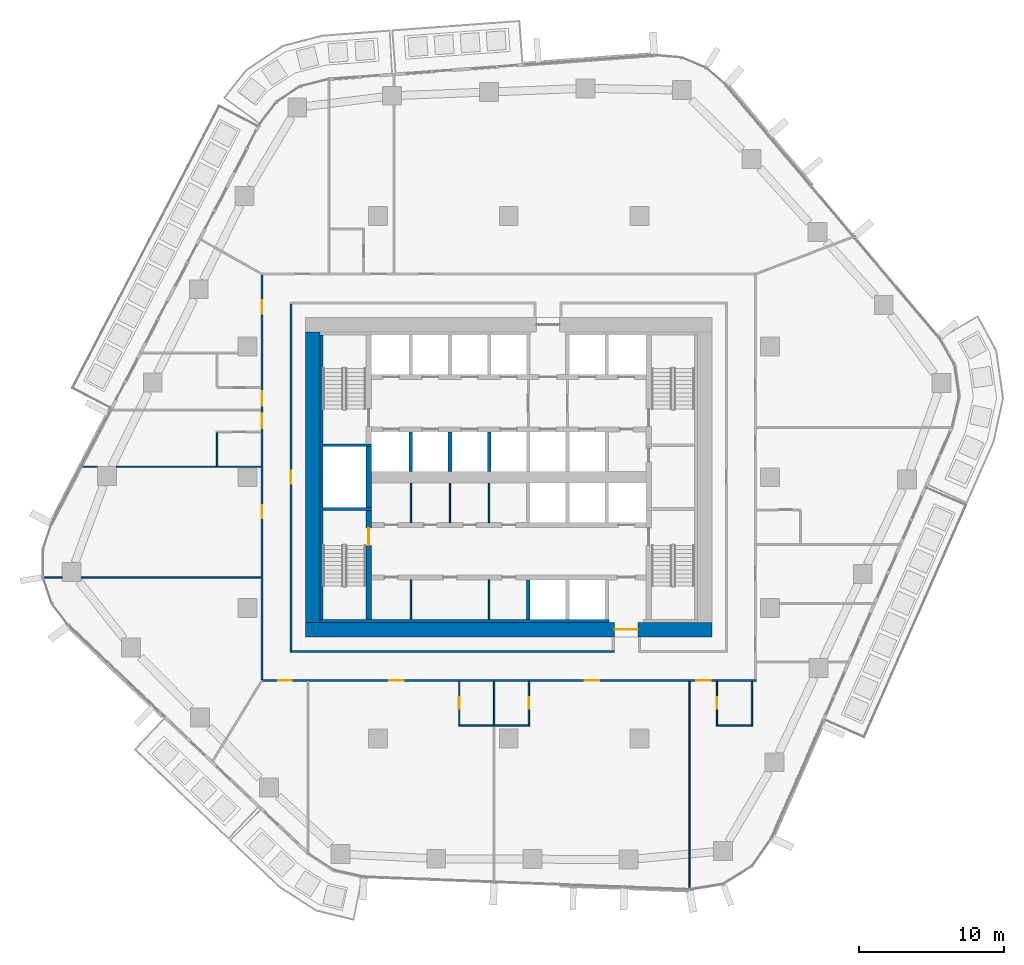
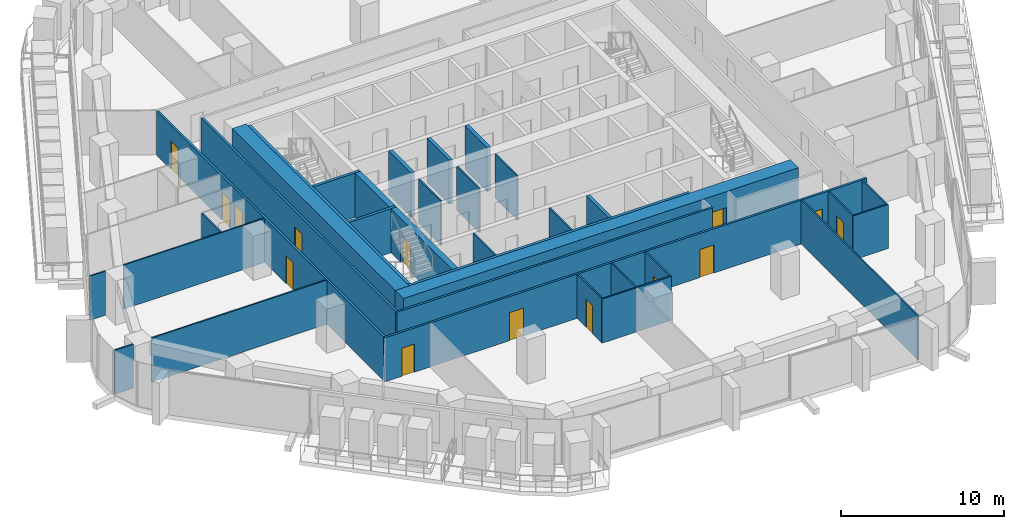
# One storey, part 12 of 23: 34 walls, 14 doors, 14 openings.
"""IFC4 building model written with IfcOpenShell, lengths in metres."""

from ifc_helpers import new_model, si_unit, direction, frame, frame_2d, origin, place, context, subcontext, project, spatial, rectangle, extrude, material, layer, layer_set, type_object, element, fill, save


model = new_model("IFC4")

# Units and contexts
model_context = context("Model", 3, precision=1e-05, world=origin(), true_north=direction((0.0, 1.0)))
body_context = subcontext(model_context, "Body", "Model", "MODEL_VIEW")
ifc_project = project(units=[si_unit("LENGTHUNIT", "METRE"), si_unit("AREAUNIT", "SQUARE_METRE"), si_unit("VOLUMEUNIT", "CUBIC_METRE"), si_unit("PLANEANGLEUNIT", "RADIAN"), si_unit("MASSUNIT", "GRAM", prefix="KILO")], contexts=[model_context])

# Site, building, storey
site_placement = place(None, origin())
site = spatial("IfcSite", under=ifc_project, at=site_placement, CompositionType="ELEMENT")
building_placement = place(site_placement, origin())
building = spatial("IfcBuilding", under=site, at=building_placement, Name="Dongbaek Canopy Tower", CompositionType="ELEMENT")
storey_placement = place(building_placement, frame((0.0, 0.0, 132.199951171875)))
storey = spatial("IfcBuildingStorey", under=building, at=storey_placement, Name="L29", CompositionType="ELEMENT", Elevation=132.199951171875)

# Wall, opening, door
ifc_material_1 = material(Name="Concrete C60/75", Category="concrete")
ifc_layer_1 = layer(ifc_material_1, 1.0)
ifc_layer_set_1 = layer_set([ifc_layer_1], Name="Core outer wall 1000 Concrete C60/75")
wall_type_1 = type_object("IfcWallType", Name="Core outer wall 1000 Concrete C60/75", PredefinedType="SHEAR", material=ifc_layer_set_1)
wall_1_placement = place(storey_placement, frame((14.0, -10.5, 0.0), z_axis=(0.0, 0.0, 1.0), x_axis=(-1.0, 0.0, 0.0)))
wall_1 = element("IfcWall", 1, at=wall_1_placement, inside=storey, type_object=wall_type_1, Name="Core wall", PredefinedType="SHEAR", context=body_context, shape_type="SweptSolid", body=[
    extrude(rectangle(XDim=28.0, YDim=1.0, at=frame_2d((14.0, 0.0))), origin(), (0.0, 0.0, 1.0), 3.300048828125),
])
opening_1_placement = place(wall_1_placement, frame((5.10009765625, 0.0, 0.0)))
opening_1 = element("IfcOpeningElement", 2, at=opening_1_placement, cuts=wall_1, Name="Opening L29-D042", PredefinedType="OPENING", context=body_context, shape_type="SweptSolid", body=[
    extrude(rectangle(XDim=1.60009765625, YDim=2.10009765625, at=frame_2d((0.800048828125, 1.050048828125))), frame((0.0, 0.510009765625, 0.0), z_axis=(0.0, -1.0, 0.0), x_axis=(1.0, 0.0, 0.0)), (0.0, 0.0, 1.0), 1.02001953125),
])
ifc_material_2 = material(Name="Steel", Category="steel")
door_type_1 = type_object("IfcDoorType", Name="Core exit door 1600 x 2100", OperationType="DOUBLE_DOOR_SINGLE_SWING", PredefinedType="DOOR", material=ifc_material_2)
door_1_placement = place(opening_1_placement, origin())
door_1 = element("IfcDoor", 3, at=door_1_placement, inside=storey, type_object=door_type_1, Name="Core exit door", OperationType="DOUBLE_DOOR_SINGLE_SWING", OverallHeight=2.10009765625, OverallWidth=1.60009765625, PredefinedType="DOOR", context=body_context, shape_type="SweptSolid", body=[
    extrude(rectangle(XDim=1.60009765625, YDim=2.10009765625, at=frame_2d((0.800048828125, 1.050048828125))), frame((0.0, 0.02490234375, 0.0), z_axis=(0.0, -1.0, 0.0), x_axis=(1.0, 0.0, 0.0)), (0.0, 0.0, 1.0), 0.050048828125),
])
fill(opening_1, door_1)

# Walls
wall_2_placement = place(storey_placement, frame((-13.5, -10.0, 0.0), z_axis=(0.0, 0.0, 1.0), x_axis=(0.0, 1.0, 0.0)))
element("IfcWall", 4, at=wall_2_placement, inside=storey, type_object=wall_type_1, Name="Core wall", PredefinedType="SHEAR", context=body_context, shape_type="SweptSolid", body=[
    extrude(rectangle(XDim=20.0, YDim=1.0, at=frame_2d((10.0, 0.0))), origin(), (0.0, 0.0, 1.0), 3.300048828125),
])
ifc_material_3 = material(Name="Concrete C60/75", Category="concrete")
ifc_layer_2 = layer(ifc_material_3, 0.199951171875)
ifc_layer_set_2 = layer_set([ifc_layer_2], Name="Core wall lining 200 Concrete C60/75")
wall_type_2 = type_object("IfcWallType", Name="Core wall lining 200 Concrete C60/75", PredefinedType="SHEAR", material=ifc_layer_set_2)
wall_3_placement = place(storey_placement, frame((6.89990234375, -9.89990234375, 0.0), z_axis=(0.0, 0.0, 1.0), x_axis=(-1.0, 0.0, 0.0)))
element("IfcWall", 5, at=wall_3_placement, inside=storey, type_object=wall_type_2, Name="Core wall lining", PredefinedType="SHEAR", context=body_context, shape_type="SweptSolid", body=[
    extrude(rectangle(XDim=19.89990234375, YDim=0.199951171875, at=frame_2d((9.949951171875, 0.0))), origin(), (0.0, 0.0, 1.0), 3.300048828125),
])
wall_4_placement = place(storey_placement, frame((-12.89990234375, -9.800048828125, 0.0), z_axis=(0.0, 0.0, 1.0), x_axis=(0.0, 1.0, 0.0)))
element("IfcWall", 6, at=wall_4_placement, inside=storey, type_object=wall_type_2, Name="Core wall lining", PredefinedType="SHEAR", context=body_context, shape_type="SweptSolid", body=[
    extrude(rectangle(XDim=19.60009765625, YDim=0.199951171875, at=frame_2d((9.800048828125, 0.0))), origin(), (0.0, 0.0, 1.0), 3.300048828125),
])

# Wall, openings, doors
ifc_material_4 = material(Name="Gypsum board partition, steel stud, 2 x 15 mm fire board", Category="steel")
ifc_layer_3 = layer(ifc_material_4, 0.14990234375)
ifc_layer_set_3 = layer_set([ifc_layer_3], Name="Fire-rated partition 150 gypsum board")
wall_type_3 = type_object("IfcWallType", Name="Fire-rated partition 150 gypsum board", PredefinedType="PARTITIONING", material=ifc_layer_set_3)
wall_5_placement = place(storey_placement, frame((17.074951171875, -14.0, 0.0), z_axis=(0.0, 0.0, 1.0), x_axis=(-1.0, 0.0, 0.0)))
wall_5 = element("IfcWall", 7, at=wall_5_placement, inside=storey, type_object=wall_type_3, Name="Corridor partition", PredefinedType="PARTITIONING", context=body_context, shape_type="SweptSolid", body=[
    extrude(rectangle(XDim=34.14990234375, YDim=0.14990234375, at=frame_2d((17.074951171875, 0.0))), origin(), (0.0, 0.0, 1.0), 3.300048828125),
])
opening_2_placement = place(wall_5_placement, frame((32.0458984375, 0.0, 0.0)))
opening_2 = element("IfcOpeningElement", 8, at=opening_2_placement, cuts=wall_5, Name="Opening L29-D002", PredefinedType="OPENING", context=body_context, shape_type="SweptSolid", body=[
    extrude(rectangle(XDim=0.89990234375, YDim=2.10009765625, at=frame_2d((0.449951171875, 1.050048828125))), frame((0.0, 0.0849609375, 0.0), z_axis=(0.0, -1.0, 0.0), x_axis=(1.0, 0.0, 0.0)), (0.0, 0.0, 1.0), 0.169921875),
])
opening_3_placement = place(wall_5_placement, frame((24.3203125, 0.0, 0.0)))
opening_3 = element("IfcOpeningElement", 9, at=opening_3_placement, cuts=wall_5, Name="Opening L29-D004", PredefinedType="OPENING", context=body_context, shape_type="SweptSolid", body=[
    extrude(rectangle(XDim=1.0, YDim=2.10009765625, at=frame_2d((0.5, 1.050048828125))), frame((0.0, 0.0849609375, 0.0), z_axis=(0.0, -1.0, 0.0), x_axis=(1.0, 0.0, 0.0)), (0.0, 0.0, 1.0), 0.169921875),
])
opening_4_placement = place(wall_5_placement, frame((10.847412109375, 0.0, 0.0)))
opening_4 = element("IfcOpeningElement", 10, at=opening_4_placement, cuts=wall_5, Name="Opening L29-D006", PredefinedType="OPENING", context=body_context, shape_type="SweptSolid", body=[
    extrude(rectangle(XDim=1.0, YDim=2.10009765625, at=frame_2d((0.5, 1.050048828125))), frame((0.0, 0.0849609375, 0.0), z_axis=(0.0, -1.0, 0.0), x_axis=(1.0, 0.0, 0.0)), (0.0, 0.0, 1.0), 0.169921875),
])
opening_5_placement = place(wall_5_placement, frame((3.171630859375, 0.0, 0.0)))
opening_5 = element("IfcOpeningElement", 11, at=opening_5_placement, cuts=wall_5, Name="Opening L29-D008", PredefinedType="OPENING", context=body_context, shape_type="SweptSolid", body=[
    extrude(rectangle(XDim=1.0, YDim=2.10009765625, at=frame_2d((0.5, 1.050048828125))), frame((0.0, 0.0849609375, 0.0), z_axis=(0.0, -1.0, 0.0), x_axis=(1.0, 0.0, 0.0)), (0.0, 0.0, 1.0), 0.169921875),
])
ifc_material_5 = material(Name="Timber veneered door leaf", Category="wood")
door_type_2 = type_object("IfcDoorType", Name="Guest room door 1000 x 2100", OperationType="SINGLE_SWING_LEFT", PredefinedType="DOOR", material=ifc_material_5)
door_2_placement = place(opening_3_placement, origin())
door_2 = element("IfcDoor", 12, at=door_2_placement, inside=storey, type_object=door_type_2, Name="Door L29-D004", OperationType="SINGLE_SWING_LEFT", OverallHeight=2.10009765625, OverallWidth=1.0, PredefinedType="DOOR", context=body_context, shape_type="SweptSolid", body=[
    extrude(rectangle(XDim=1.0, YDim=2.10009765625, at=frame_2d((0.5, 1.050048828125))), frame((0.0, 0.02490234375, 0.0), z_axis=(0.0, -1.0, 0.0), x_axis=(1.0, 0.0, 0.0)), (0.0, 0.0, 1.0), 0.050048828125),
])
fill(opening_3, door_2)
door_3_placement = place(opening_4_placement, origin())
door_3 = element("IfcDoor", 13, at=door_3_placement, inside=storey, type_object=door_type_2, Name="Door L29-D006", OperationType="SINGLE_SWING_RIGHT", OverallHeight=2.10009765625, OverallWidth=1.0, PredefinedType="DOOR", context=body_context, shape_type="SweptSolid", body=[
    extrude(rectangle(XDim=1.0, YDim=2.10009765625, at=frame_2d((0.5, 1.050048828125))), frame((0.0, 0.02490234375, 0.0), z_axis=(0.0, -1.0, 0.0), x_axis=(1.0, 0.0, 0.0)), (0.0, 0.0, 1.0), 0.050048828125),
])
fill(opening_4, door_3)
door_4_placement = place(opening_5_placement, origin())
door_4 = element("IfcDoor", 14, at=door_4_placement, inside=storey, type_object=door_type_2, Name="Door L29-D008", OperationType="SINGLE_SWING_LEFT", OverallHeight=2.10009765625, OverallWidth=1.0, PredefinedType="DOOR", context=body_context, shape_type="SweptSolid", body=[
    extrude(rectangle(XDim=1.0, YDim=2.10009765625, at=frame_2d((0.5, 1.050048828125))), frame((0.0, 0.02490234375, 0.0), z_axis=(0.0, -1.0, 0.0), x_axis=(1.0, 0.0, 0.0)), (0.0, 0.0, 1.0), 0.050048828125),
])
fill(opening_5, door_4)
ifc_material_6 = material(Name="Timber veneered door leaf", Category="wood")
door_type_3 = type_object("IfcDoorType", Name="Room door 900 x 2100", OperationType="SINGLE_SWING_LEFT", PredefinedType="DOOR", material=ifc_material_6)
door_5_placement = place(opening_2_placement, origin())
door_5 = element("IfcDoor", 15, at=door_5_placement, inside=storey, type_object=door_type_3, Name="Door L29-D002", OperationType="SINGLE_SWING_RIGHT", OverallHeight=2.10009765625, OverallWidth=0.89990234375, PredefinedType="DOOR", context=body_context, shape_type="SweptSolid", body=[
    extrude(rectangle(XDim=0.89990234375, YDim=2.10009765625, at=frame_2d((0.449951171875, 1.050048828125))), frame((0.0, 0.02490234375, 0.0), z_axis=(0.0, -1.0, 0.0), x_axis=(1.0, 0.0, 0.0)), (0.0, 0.0, 1.0), 0.050048828125),
])
fill(opening_2, door_5)

# Wall
wall_6_placement = place(storey_placement, frame((-15.074951171875, -12.0, 0.0), z_axis=(0.0, 0.0, 1.0), x_axis=(1.0, 0.0, 0.0)))
element("IfcWall", 16, at=wall_6_placement, inside=storey, type_object=wall_type_3, Name="Corridor partition", PredefinedType="PARTITIONING", context=body_context, shape_type="SweptSolid", body=[
    extrude(rectangle(XDim=22.349853515625, YDim=0.14990234375, at=frame_2d((11.1748046875, 0.0))), origin(), (0.0, 0.0, 1.0), 3.300048828125),
])

# Wall, opening, door
wall_7_placement = place(storey_placement, frame((-15.0, 11.925048828125, 0.0), z_axis=(0.0, 0.0, 1.0), x_axis=(0.0, -1.0, 0.0)))
wall_7 = element("IfcWall", 17, at=wall_7_placement, inside=storey, type_object=wall_type_3, Name="Corridor partition", PredefinedType="PARTITIONING", context=body_context, shape_type="SweptSolid", body=[
    extrude(rectangle(XDim=23.85009765625, YDim=0.14990234375, at=frame_2d((11.925048828125, 0.0))), origin(), (0.0, 0.0, 1.0), 3.300048828125),
])
opening_6_placement = place(wall_7_placement, frame((11.47509765625, 0.0, 0.0)))
opening_6 = element("IfcOpeningElement", 18, at=opening_6_placement, cuts=wall_7, Name="Opening L29-D023", PredefinedType="OPENING", context=body_context, shape_type="SweptSolid", body=[
    extrude(rectangle(XDim=0.89990234375, YDim=2.10009765625, at=frame_2d((0.449951171875, 1.050048828125))), frame((0.0, 0.0849609375, 0.0), z_axis=(0.0, -1.0, 0.0), x_axis=(1.0, 0.0, 0.0)), (0.0, 0.0, 1.0), 0.169921875),
])
door_6_placement = place(opening_6_placement, origin())
door_6 = element("IfcDoor", 19, at=door_6_placement, inside=storey, type_object=door_type_3, Name="Door L29-D023", OperationType="SINGLE_SWING_RIGHT", OverallHeight=2.10009765625, OverallWidth=0.89990234375, PredefinedType="DOOR", context=body_context, shape_type="SweptSolid", body=[
    extrude(rectangle(XDim=0.89990234375, YDim=2.10009765625, at=frame_2d((0.449951171875, 1.050048828125))), frame((0.0, 0.02490234375, 0.0), z_axis=(0.0, -1.0, 0.0), x_axis=(1.0, 0.0, 0.0)), (0.0, 0.0, 1.0), 0.050048828125),
])
fill(opening_6, door_6)

# Wall, openings, doors
wall_8_placement = place(storey_placement, frame((-17.0, -13.925048828125, 0.0), z_axis=(0.0, 0.0, 1.0), x_axis=(0.0, 1.0, 0.0)))
wall_8 = element("IfcWall", 20, at=wall_8_placement, inside=storey, type_object=wall_type_3, Name="Corridor partition", PredefinedType="PARTITIONING", context=body_context, shape_type="SweptSolid", body=[
    extrude(rectangle(XDim=27.85009765625, YDim=0.14990234375, at=frame_2d((13.925048828125, 0.0))), origin(), (0.0, 0.0, 1.0), 3.300048828125),
])
opening_7_placement = place(wall_8_placement, frame((11.10693359375, 0.0, 0.0)))
opening_7 = element("IfcOpeningElement", 21, at=opening_7_placement, cuts=wall_8, Name="Opening L29-D001", PredefinedType="OPENING", context=body_context, shape_type="SweptSolid", body=[
    extrude(rectangle(XDim=0.89990234375, YDim=2.10009765625, at=frame_2d((0.449951171875, 1.050048828125))), frame((0.0, 0.0849609375, 0.0), z_axis=(0.0, -1.0, 0.0), x_axis=(1.0, 0.0, 0.0)), (0.0, 0.0, 1.0), 0.169921875),
])
opening_8_placement = place(wall_8_placement, frame((25.2041015625, 0.0, 0.0)))
opening_8 = element("IfcOpeningElement", 22, at=opening_8_placement, cuts=wall_8, Name="Opening L29-D018", PredefinedType="OPENING", context=body_context, shape_type="SweptSolid", body=[
    extrude(rectangle(XDim=0.89990234375, YDim=2.10009765625, at=frame_2d((0.449951171875, 1.050048828125))), frame((0.0, 0.0849609375, 0.0), z_axis=(0.0, -1.0, 0.0), x_axis=(1.0, 0.0, 0.0)), (0.0, 0.0, 1.0), 0.169921875),
])
opening_9_placement = place(wall_8_placement, frame((18.833251953125, 0.0, 0.0)))
opening_9 = element("IfcOpeningElement", 23, at=opening_9_placement, cuts=wall_8, Name="Opening L29-D020", PredefinedType="OPENING", context=body_context, shape_type="SweptSolid", body=[
    extrude(rectangle(XDim=1.0, YDim=2.10009765625, at=frame_2d((0.5, 1.050048828125))), frame((0.0, 0.0849609375, 0.0), z_axis=(0.0, -1.0, 0.0), x_axis=(1.0, 0.0, 0.0)), (0.0, 0.0, 1.0), 0.169921875),
])
opening_10_placement = place(wall_8_placement, frame((17.31005859375, 0.0, 0.0)))
opening_10 = element("IfcOpeningElement", 24, at=opening_10_placement, cuts=wall_8, Name="Opening L29-D022", PredefinedType="OPENING", context=body_context, shape_type="SweptSolid", body=[
    extrude(rectangle(XDim=1.0, YDim=2.10009765625, at=frame_2d((0.5, 1.050048828125))), frame((0.0, 0.0849609375, 0.0), z_axis=(0.0, -1.0, 0.0), x_axis=(1.0, 0.0, 0.0)), (0.0, 0.0, 1.0), 0.169921875),
])
door_7_placement = place(opening_9_placement, origin())
door_7 = element("IfcDoor", 25, at=door_7_placement, inside=storey, type_object=door_type_2, Name="Door L29-D020", OperationType="SINGLE_SWING_RIGHT", OverallHeight=2.10009765625, OverallWidth=1.0, PredefinedType="DOOR", context=body_context, shape_type="SweptSolid", body=[
    extrude(rectangle(XDim=1.0, YDim=2.10009765625, at=frame_2d((0.5, 1.050048828125))), frame((0.0, 0.02490234375, 0.0), z_axis=(0.0, -1.0, 0.0), x_axis=(1.0, 0.0, 0.0)), (0.0, 0.0, 1.0), 0.050048828125),
])
fill(opening_9, door_7)
door_8_placement = place(opening_10_placement, origin())
door_8 = element("IfcDoor", 26, at=door_8_placement, inside=storey, type_object=door_type_2, Name="Door L29-D022", OperationType="SINGLE_SWING_LEFT", OverallHeight=2.10009765625, OverallWidth=1.0, PredefinedType="DOOR", context=body_context, shape_type="SweptSolid", body=[
    extrude(rectangle(XDim=1.0, YDim=2.10009765625, at=frame_2d((0.5, 1.050048828125))), frame((0.0, 0.02490234375, 0.0), z_axis=(0.0, -1.0, 0.0), x_axis=(1.0, 0.0, 0.0)), (0.0, 0.0, 1.0), 0.050048828125),
])
fill(opening_10, door_8)
door_9_placement = place(opening_7_placement, origin())
door_9 = element("IfcDoor", 27, at=door_9_placement, inside=storey, type_object=door_type_3, Name="Door L29-D001", OperationType="SINGLE_SWING_RIGHT", OverallHeight=2.10009765625, OverallWidth=0.89990234375, PredefinedType="DOOR", context=body_context, shape_type="SweptSolid", body=[
    extrude(rectangle(XDim=0.89990234375, YDim=2.10009765625, at=frame_2d((0.449951171875, 1.050048828125))), frame((0.0, 0.02490234375, 0.0), z_axis=(0.0, -1.0, 0.0), x_axis=(1.0, 0.0, 0.0)), (0.0, 0.0, 1.0), 0.050048828125),
])
fill(opening_7, door_9)
door_10_placement = place(opening_8_placement, origin())
door_10 = element("IfcDoor", 28, at=door_10_placement, inside=storey, type_object=door_type_3, Name="Door L29-D018", OperationType="SINGLE_SWING_LEFT", OverallHeight=2.10009765625, OverallWidth=0.89990234375, PredefinedType="DOOR", context=body_context, shape_type="SweptSolid", body=[
    extrude(rectangle(XDim=0.89990234375, YDim=2.10009765625, at=frame_2d((0.449951171875, 1.050048828125))), frame((0.0, 0.02490234375, 0.0), z_axis=(0.0, -1.0, 0.0), x_axis=(1.0, 0.0, 0.0)), (0.0, 0.0, 1.0), 0.050048828125),
])
fill(opening_8, door_10)

# Walls
ifc_material_7 = material(Name="Concrete C40/50", Category="concrete")
ifc_layer_4 = layer(ifc_material_7, 0.25)
ifc_layer_set_4 = layer_set([ifc_layer_4], Name="Lift shaft wall 250 Concrete C40/50")
wall_type_4 = type_object("IfcWallType", Name="Lift shaft wall 250 Concrete C40/50", PredefinedType="SOLIDWALL", material=ifc_layer_set_4)
for number, where, z_axis, x_axis, name in (
    (29, (1.35009765625, -9.800048828125, 0.0), (0.0, 0.0, 1.0), (0.0, 1.0, 0.0), "Lift shaft wall"),
    (30, (-1.35009765625, 0.39990234375, 0.0), (0.0, 0.0, 1.0), (0.0, 1.0, 0.0), "Lift shaft wall"),
    (31, (-4.050048828125, 0.39990234375, 0.0), (0.0, 0.0, 1.0), (0.0, 1.0, 0.0), "Lift shaft wall"),
    (32, (-6.75, 0.39990234375, 0.0), (0.0, 0.0, 1.0), (0.0, 1.0, 0.0), "Lift shaft wall"),
):
    element("IfcWall", number, at=place(storey_placement, frame(where, z_axis=z_axis, x_axis=x_axis)), inside=storey, type_object=wall_type_4, Name=name, PredefinedType="SOLIDWALL", context=body_context, shape_type="SweptSolid", body=[
        extrude(rectangle(XDim=2.72509765625, YDim=0.25, at=frame_2d((1.362548828125, 0.0))), origin(), (0.0, 0.0, 1.0), 3.300048828125),
    ])
ifc_material_8 = material(Name="Gypsum board partition, steel stud, 2 x 12.5 mm board", Category="steel")
ifc_layer_5 = layer(ifc_material_8, 0.10009765625)
ifc_layer_set_5 = layer_set([ifc_layer_5], Name="Partition 100 gypsum board")
wall_type_5 = type_object("IfcWallType", Name="Partition 100 gypsum board", PredefinedType="PARTITIONING", material=ifc_layer_set_5)
wall_9_placement = place(storey_placement, frame((-3.4609375, -17.10009765625, 0.0), z_axis=(0.0, 0.0, 1.0), x_axis=(1.0, 0.0, 0.0)))
element("IfcWall", 33, at=wall_9_placement, inside=storey, type_object=wall_type_5, Name="Partition", PredefinedType="PARTITIONING", context=body_context, shape_type="SweptSolid", body=[
    extrude(rectangle(XDim=4.89990234375, YDim=0.10009765625, at=frame_2d((2.449951171875, 0.0))), origin(), (0.0, 0.0, 1.0), 3.300048828125),
])
wall_10_placement = place(storey_placement, frame((14.30029296875, -17.10009765625, 0.0), z_axis=(0.0, 0.0, 1.0), x_axis=(1.0, 0.0, 0.0)))
element("IfcWall", 34, at=wall_10_placement, inside=storey, type_object=wall_type_5, Name="Partition", PredefinedType="PARTITIONING", context=body_context, shape_type="SweptSolid", body=[
    extrude(rectangle(XDim=2.5, YDim=0.10009765625, at=frame_2d((1.25, 0.0))), origin(), (0.0, 0.0, 1.0), 3.300048828125),
])
wall_11_placement = place(storey_placement, frame((-32.076171875, -6.89599609375, 0.0), z_axis=(0.0, 0.0, 1.0), x_axis=(1.0, 0.0, 0.0)))
element("IfcWall", 35, at=wall_11_placement, inside=storey, type_object=wall_type_5, Name="Partition", PredefinedType="PARTITIONING", context=body_context, shape_type="SweptSolid", body=[
    extrude(rectangle(XDim=1.30126953125, YDim=0.10009765625, at=frame_2d((0.650634765625, 0.0))), origin(), (0.0, 0.0, 1.0), 3.300048828125),
])
wall_12_placement = place(storey_placement, frame((-29.47509765625, -6.89599609375, 0.0), z_axis=(0.0, 0.0, 1.0), x_axis=(1.0, 0.0, 0.0)))
element("IfcWall", 36, at=wall_12_placement, inside=storey, type_object=wall_type_5, Name="Partition", PredefinedType="PARTITIONING", context=body_context, shape_type="SweptSolid", body=[
    extrude(rectangle(XDim=12.400146484375, YDim=0.10009765625, at=frame_2d((6.2001953125, 0.0))), origin(), (0.0, 0.0, 1.0), 3.300048828125),
])
wall_13_placement = place(storey_placement, frame((-29.445556640625, 0.722900390625, 0.0), z_axis=(0.0, 0.0, 1.0), x_axis=(1.0, 0.0, 0.0)))
element("IfcWall", 37, at=wall_13_placement, inside=storey, type_object=wall_type_5, Name="Partition", PredefinedType="PARTITIONING", context=body_context, shape_type="SweptSolid", body=[
    extrude(rectangle(XDim=1.1025390625, YDim=0.10009765625, at=frame_2d((0.55126953125, 0.0))), origin(), (0.0, 0.0, 1.0), 3.300048828125),
])
wall_14_placement = place(storey_placement, frame((-27.04296875, 0.722900390625, 0.0), z_axis=(0.0, 0.0, 1.0), x_axis=(1.0, 0.0, 0.0)))
element("IfcWall", 38, at=wall_14_placement, inside=storey, type_object=wall_type_5, Name="Partition", PredefinedType="PARTITIONING", context=body_context, shape_type="SweptSolid", body=[
    extrude(rectangle(XDim=9.968017578125, YDim=0.10009765625, at=frame_2d((4.98388671875, 0.0))), origin(), (0.0, 0.0, 1.0), 3.300048828125),
])
wall_15_placement = place(storey_placement, frame((16.75, -17.050048828125, 0.0), z_axis=(0.0, 0.0, 1.0), x_axis=(0.0, 1.0, 0.0)))
element("IfcWall", 39, at=wall_15_placement, inside=storey, type_object=wall_type_5, Name="Partition", PredefinedType="PARTITIONING", context=body_context, shape_type="SweptSolid", body=[
    extrude(rectangle(XDim=2.97509765625, YDim=0.10009765625, at=frame_2d((1.487548828125, 0.0))), origin(), (0.0, 0.0, 1.0), 3.300048828125),
])

# Wall, opening, door
wall_16_placement = place(storey_placement, frame((14.35009765625, -14.074951171875, 0.0), z_axis=(0.0, 0.0, 1.0), x_axis=(0.0, -1.0, 0.0)))
wall_16 = element("IfcWall", 40, at=wall_16_placement, inside=storey, type_object=wall_type_5, Name="Partition", PredefinedType="PARTITIONING", context=body_context, shape_type="SweptSolid", body=[
    extrude(rectangle(XDim=3.025146484375, YDim=0.10009765625, at=frame_2d((1.5126953125, 0.0))), origin(), (0.0, 0.0, 1.0), 3.300048828125),
])
opening_11_placement = place(wall_16_placement, frame((1.074951171875, 0.0, 0.0)))
opening_11 = element("IfcOpeningElement", 41, at=opening_11_placement, cuts=wall_16, Name="Opening L29-D007", PredefinedType="OPENING", context=body_context, shape_type="SweptSolid", body=[
    extrude(rectangle(XDim=0.800048828125, YDim=2.10009765625, at=frame_2d((0.39990234375, 1.050048828125))), frame((0.0, 0.06005859375, 0.0), z_axis=(0.0, -1.0, 0.0), x_axis=(1.0, 0.0, 0.0)), (0.0, 0.0, 1.0), 0.1201171875),
])
ifc_material_9 = material(Name="Timber veneered door leaf", Category="wood")
door_type_4 = type_object("IfcDoorType", Name="En-suite door 800 x 2100", OperationType="SINGLE_SWING_LEFT", PredefinedType="DOOR", material=ifc_material_9)
door_11_placement = place(opening_11_placement, origin())
door_11 = element("IfcDoor", 42, at=door_11_placement, inside=storey, type_object=door_type_4, Name="Door L29-D007", OperationType="SINGLE_SWING_RIGHT", OverallHeight=2.10009765625, OverallWidth=0.800048828125, PredefinedType="DOOR", context=body_context, shape_type="SweptSolid", body=[
    extrude(rectangle(XDim=0.800048828125, YDim=2.10009765625, at=frame_2d((0.39990234375, 1.050048828125))), frame((0.0, 0.02490234375, 0.0), z_axis=(0.0, -1.0, 0.0), x_axis=(1.0, 0.0, 0.0)), (0.0, 0.0, 1.0), 0.050048828125),
])
fill(opening_11, door_11)

# Wall
wall_17_placement = place(storey_placement, frame((12.4560546875, -28.377685546875, 0.0), z_axis=(0.0, 0.0, 1.0), x_axis=(0.0, 1.0, 0.0)))
element("IfcWall", 43, at=wall_17_placement, inside=storey, type_object=wall_type_5, Name="Partition", PredefinedType="PARTITIONING", context=body_context, shape_type="SweptSolid", body=[
    extrude(rectangle(XDim=14.302734375, YDim=0.10009765625, at=frame_2d((7.1513671875, 0.0))), origin(), (0.0, 0.0, 1.0), 3.300048828125),
])

# Wall, opening, door
wall_18_placement = place(storey_placement, frame((1.388916015625, -17.050048828125, 0.0), z_axis=(0.0, 0.0, 1.0), x_axis=(0.0, 1.0, 0.0)))
wall_18 = element("IfcWall", 44, at=wall_18_placement, inside=storey, type_object=wall_type_5, Name="Partition", PredefinedType="PARTITIONING", context=body_context, shape_type="SweptSolid", body=[
    extrude(rectangle(XDim=2.97509765625, YDim=0.10009765625, at=frame_2d((1.487548828125, 0.0))), origin(), (0.0, 0.0, 1.0), 3.300048828125),
])
opening_12_placement = place(wall_18_placement, frame((1.10009765625, 0.0, 0.0)))
opening_12 = element("IfcOpeningElement", 45, at=opening_12_placement, cuts=wall_18, Name="Opening L29-D005", PredefinedType="OPENING", context=body_context, shape_type="SweptSolid", body=[
    extrude(rectangle(XDim=0.800048828125, YDim=2.10009765625, at=frame_2d((0.39990234375, 1.050048828125))), frame((0.0, 0.06005859375, 0.0), z_axis=(0.0, -1.0, 0.0), x_axis=(1.0, 0.0, 0.0)), (0.0, 0.0, 1.0), 0.1201171875),
])
door_12_placement = place(opening_12_placement, origin())
door_12 = element("IfcDoor", 46, at=door_12_placement, inside=storey, type_object=door_type_4, Name="Door L29-D005", OperationType="SINGLE_SWING_LEFT", OverallHeight=2.10009765625, OverallWidth=0.800048828125, PredefinedType="DOOR", context=body_context, shape_type="SweptSolid", body=[
    extrude(rectangle(XDim=0.800048828125, YDim=2.10009765625, at=frame_2d((0.39990234375, 1.050048828125))), frame((0.0, 0.02490234375, 0.0), z_axis=(0.0, -1.0, 0.0), x_axis=(1.0, 0.0, 0.0)), (0.0, 0.0, 1.0), 0.050048828125),
])
fill(opening_12, door_12)

# Wall
wall_19_placement = place(storey_placement, frame((-1.010986328125, -17.050048828125, 0.0), z_axis=(0.0, 0.0, 1.0), x_axis=(0.0, 1.0, 0.0)))
element("IfcWall", 47, at=wall_19_placement, inside=storey, type_object=wall_type_5, Name="Partition", PredefinedType="PARTITIONING", context=body_context, shape_type="SweptSolid", body=[
    extrude(rectangle(XDim=2.97509765625, YDim=0.10009765625, at=frame_2d((1.487548828125, 0.0))), origin(), (0.0, 0.0, 1.0), 3.300048828125),
])

# Wall, opening, door
wall_20_placement = place(storey_placement, frame((-3.410888671875, -14.074951171875, 0.0), z_axis=(0.0, 0.0, 1.0), x_axis=(0.0, -1.0, 0.0)))
wall_20 = element("IfcWall", 48, at=wall_20_placement, inside=storey, type_object=wall_type_5, Name="Partition", PredefinedType="PARTITIONING", context=body_context, shape_type="SweptSolid", body=[
    extrude(rectangle(XDim=2.97509765625, YDim=0.10009765625, at=frame_2d((1.487548828125, 0.0))), origin(), (0.0, 0.0, 1.0), 3.300048828125),
])
opening_13_placement = place(wall_20_placement, frame((1.074951171875, 0.0, 0.0)))
opening_13 = element("IfcOpeningElement", 49, at=opening_13_placement, cuts=wall_20, Name="Opening L29-D003", PredefinedType="OPENING", context=body_context, shape_type="SweptSolid", body=[
    extrude(rectangle(XDim=0.800048828125, YDim=2.10009765625, at=frame_2d((0.39990234375, 1.050048828125))), frame((0.0, 0.06005859375, 0.0), z_axis=(0.0, -1.0, 0.0), x_axis=(1.0, 0.0, 0.0)), (0.0, 0.0, 1.0), 0.1201171875),
])
door_13_placement = place(opening_13_placement, origin())
door_13 = element("IfcDoor", 50, at=door_13_placement, inside=storey, type_object=door_type_4, Name="Door L29-D003", OperationType="SINGLE_SWING_RIGHT", OverallHeight=2.10009765625, OverallWidth=0.800048828125, PredefinedType="DOOR", context=body_context, shape_type="SweptSolid", body=[
    extrude(rectangle(XDim=0.800048828125, YDim=2.10009765625, at=frame_2d((0.39990234375, 1.050048828125))), frame((0.0, 0.02490234375, 0.0), z_axis=(0.0, -1.0, 0.0), x_axis=(1.0, 0.0, 0.0)), (0.0, 0.0, 1.0), 0.050048828125),
])
fill(opening_13, door_13)

# Walls
wall_21_placement = place(storey_placement, frame((-20.10009765625, 0.77294921875, 0.0), z_axis=(0.0, 0.0, 1.0), x_axis=(0.0, 1.0, 0.0)))
element("IfcWall", 51, at=wall_21_placement, inside=storey, type_object=wall_type_5, Name="Partition", PredefinedType="PARTITIONING", context=body_context, shape_type="SweptSolid", body=[
    extrude(rectangle(XDim=2.300048828125, YDim=0.10009765625, at=frame_2d((1.14990234375, 0.0))), origin(), (0.0, 0.0, 1.0), 3.300048828125),
])
for number, where, z_axis, x_axis, name in (
    (52, (-1.35009765625, -9.800048828125, 0.0), (0.0, 0.0, 1.0), (0.0, 1.0, 0.0), "Core partition"),
    (53, (-1.35009765625, -3.125, 0.0), (0.0, 0.0, 1.0), (0.0, 1.0, 0.0), "Core partition"),
    (54, (-4.050048828125, -3.125, 0.0), (0.0, 0.0, 1.0), (0.0, 1.0, 0.0), "Core partition"),
    (55, (-6.75, -9.800048828125, 0.0), (0.0, 0.0, 1.0), (0.0, 1.0, 0.0), "Core partition"),
    (56, (-6.75, -3.125, 0.0), (0.0, 0.0, 1.0), (0.0, 1.0, 0.0), "Core partition"),
):
    element("IfcWall", number, at=place(storey_placement, frame(where, z_axis=z_axis, x_axis=x_axis)), inside=storey, type_object=wall_type_5, Name=name, PredefinedType="PARTITIONING", context=body_context, shape_type="SweptSolid", body=[
        extrude(rectangle(XDim=2.72509765625, YDim=0.10009765625, at=frame_2d((1.362548828125, 0.0))), origin(), (0.0, 0.0, 1.0), 3.300048828125),
    ])
ifc_material_10 = material(Name="Concrete C60/75", Category="concrete")
ifc_layer_6 = layer(ifc_material_10, 0.199951171875)
ifc_layer_set_6 = layer_set([ifc_layer_6], Name="Riser wall 200 Concrete C60/75")
wall_type_6 = type_object("IfcWallType", Name="Riser wall 200 Concrete C60/75", PredefinedType="SHEAR", material=ifc_layer_set_6)
for number, where, z_axis, x_axis, name in (
    (57, (-9.449951171875, 2.199951171875, 0.0), (0.0, 0.0, 1.0), (-1.0, 0.0, 0.0), "Riser wall"),
    (58, (-9.449951171875, -2.199951171875, 0.0), (0.0, 0.0, 1.0), (-1.0, 0.0, 0.0), "Riser wall"),
):
    element("IfcWall", number, at=place(storey_placement, frame(where, z_axis=z_axis, x_axis=x_axis)), inside=storey, type_object=wall_type_6, Name=name, PredefinedType="SHEAR", context=body_context, shape_type="SweptSolid", body=[
        extrude(rectangle(XDim=3.35009765625, YDim=0.199951171875, at=frame_2d((1.675048828125, 0.0))), origin(), (0.0, 0.0, 1.0), 3.300048828125),
    ])

# Wall, opening, door
ifc_material_11 = material(Name="Concrete C60/75", Category="concrete")
ifc_layer_7 = layer(ifc_material_11, 0.39990234375)
ifc_layer_set_7 = layer_set([ifc_layer_7], Name="Stair wall 400 Concrete C60/75")
wall_type_7 = type_object("IfcWallType", Name="Stair wall 400 Concrete C60/75", PredefinedType="SHEAR", material=ifc_layer_set_7)
wall_22_placement = place(storey_placement, frame((-9.64990234375, -9.800048828125, 0.0), z_axis=(0.0, 0.0, 1.0), x_axis=(0.0, 1.0, 0.0)))
wall_22 = element("IfcWall", 59, at=wall_22_placement, inside=storey, type_object=wall_type_7, Name="Stair wall", PredefinedType="SHEAR", context=body_context, shape_type="SweptSolid", body=[
    extrude(rectangle(XDim=7.5, YDim=0.39990234375, at=frame_2d((3.75, 0.0))), origin(), (0.0, 0.0, 1.0), 3.300048828125),
])
opening_14_placement = place(wall_22_placement, frame((5.10009765625, 0.0, 0.0)))
opening_14 = element("IfcOpeningElement", 60, at=opening_14_placement, cuts=wall_22, Name="Opening L29-D054", PredefinedType="OPENING", context=body_context, shape_type="SweptSolid", body=[
    extrude(rectangle(XDim=1.199951171875, YDim=2.10009765625, at=frame_2d((0.60009765625, 1.050048828125))), frame((0.0, 0.2099609375, 0.0), z_axis=(0.0, -1.0, 0.0), x_axis=(1.0, 0.0, 0.0)), (0.0, 0.0, 1.0), 0.419921875),
])
ifc_material_12 = material(Name="Steel", Category="steel")
door_type_5 = type_object("IfcDoorType", Name="Stair door 1200 x 2100", OperationType="SINGLE_SWING_LEFT", PredefinedType="DOOR", material=ifc_material_12)
door_14_placement = place(opening_14_placement, origin())
door_14 = element("IfcDoor", 61, at=door_14_placement, inside=storey, type_object=door_type_5, Name="Stair D door", OperationType="SINGLE_SWING_LEFT", OverallHeight=2.10009765625, OverallWidth=1.199951171875, PredefinedType="DOOR", context=body_context, shape_type="SweptSolid", body=[
    extrude(rectangle(XDim=1.199951171875, YDim=2.10009765625, at=frame_2d((0.60009765625, 1.050048828125))), frame((0.0, 0.02490234375, 0.0), z_axis=(0.0, -1.0, 0.0), x_axis=(1.0, 0.0, 0.0)), (0.0, 0.0, 1.0), 0.050048828125),
])
fill(opening_14, door_14)

# Wall
wall_23_placement = place(storey_placement, frame((-9.64990234375, -2.10009765625, 0.0), z_axis=(0.0, 0.0, 1.0), x_axis=(0.0, 1.0, 0.0)))
element("IfcWall", 62, at=wall_23_placement, inside=storey, type_object=wall_type_7, Name="Stair wall", PredefinedType="SHEAR", context=body_context, shape_type="SweptSolid", body=[
    extrude(rectangle(XDim=4.2001953125, YDim=0.39990234375, at=frame_2d((2.10009765625, 0.0))), origin(), (0.0, 0.0, 1.0), 3.300048828125),
])

save(model, "model.ifc")
